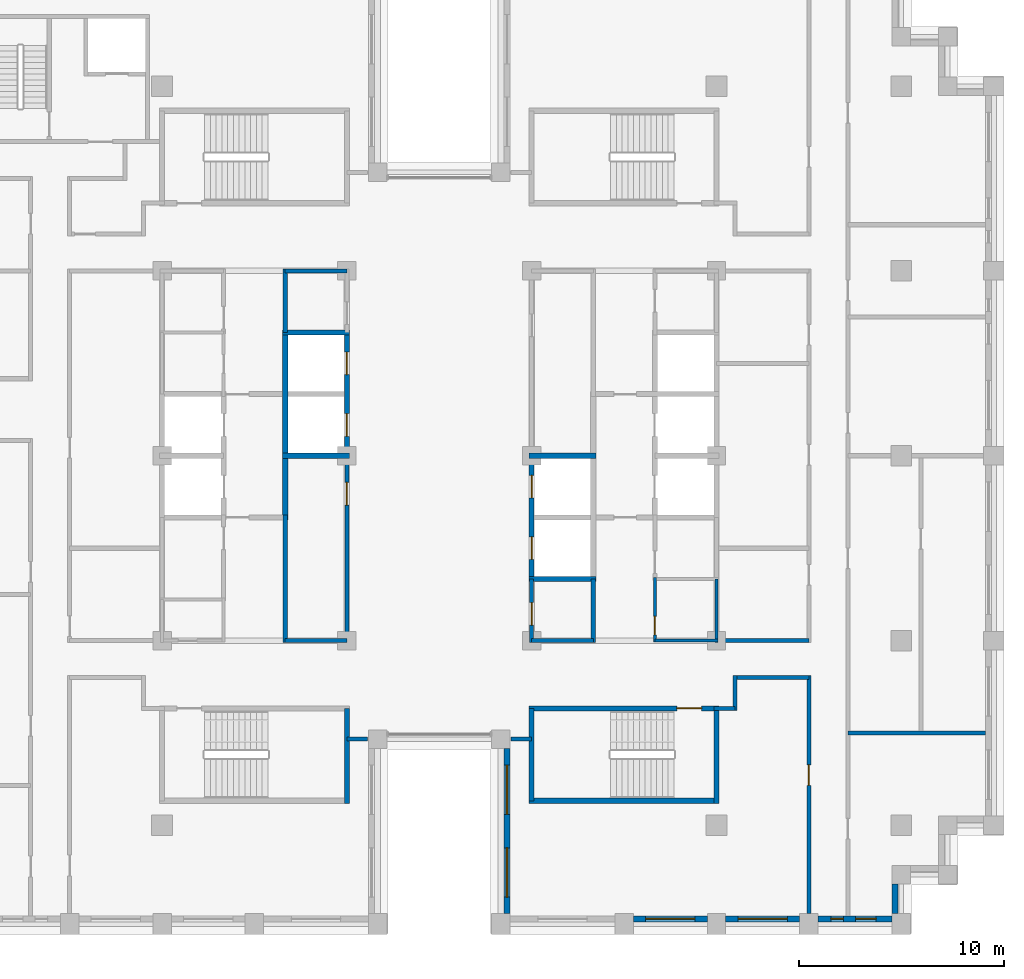
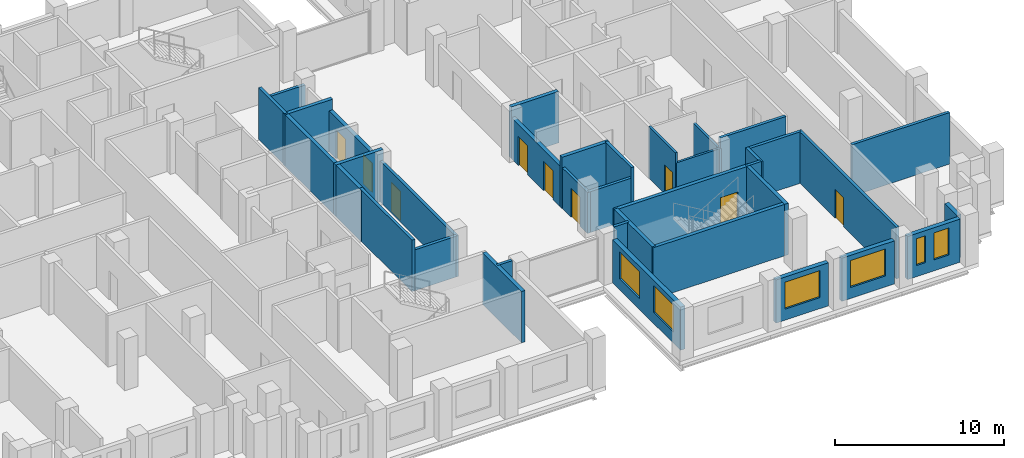
# One storey, part 8 of 15: 36 walls, 9 doors, 6 windows, 15 openings.
"""IFC4 building model written with IfcOpenShell, lengths in metres."""

from ifc_helpers import new_model, si_unit, direction, frame, frame_2d, origin, place, context, subcontext, project, spatial, rectangle, extrude, material, layer, layer_set, type_object, element, fill, save


model = new_model("IFC4")

# Units and contexts
model_context = context("Model", 3, precision=1e-05, world=origin(), true_north=direction((0.0, 1.0)))
body_context = subcontext(model_context, "Body", "Model", "MODEL_VIEW")
ifc_project = project(units=[si_unit("LENGTHUNIT", "METRE"), si_unit("AREAUNIT", "SQUARE_METRE"), si_unit("VOLUMEUNIT", "CUBIC_METRE"), si_unit("PLANEANGLEUNIT", "RADIAN"), si_unit("MASSUNIT", "GRAM", prefix="KILO")], contexts=[model_context])

# Site, building, storey
site_placement = place(None, origin())
site = spatial("IfcSite", under=ifc_project, at=site_placement, CompositionType="ELEMENT")
building_placement = place(site_placement, origin())
building = spatial("IfcBuilding", under=site, at=building_placement, Name="Corbelhall Arena Tower", CompositionType="ELEMENT")
storey_placement = place(building_placement, frame((0.0, 0.0, 192.0)))
storey = spatial("IfcBuildingStorey", under=building, at=storey_placement, Name="L39", CompositionType="ELEMENT", Elevation=192.0)

# Wall, openings, windows
ifc_material_1 = material(Name="Precast concrete C40/50 with granite facing", Category="masonry")
ifc_layer_1 = layer(ifc_material_1, 0.300048828125)
ifc_layer_set_1 = layer_set([ifc_layer_1], Name="EV-IW1 Infill panel 300")
wall_type_1 = type_object("IfcWallType", Name="EV-IW1 Infill panel 300", PredefinedType="SOLIDWALL", material=ifc_layer_set_1)
wall_1_placement = place(storey_placement, frame((3.300048828125, -14.25, 0.0), z_axis=(0.0, 0.0, 1.0), x_axis=(0.0, -1.0, 0.0)))
wall_1 = element("IfcWall", 1, at=wall_1_placement, inside=storey, type_object=wall_type_1, Name="Infill panel IW1", PredefinedType="SOLIDWALL", context=body_context, shape_type="SweptSolid", body=[
    extrude(rectangle(XDim=8.050048828125, YDim=0.300048828125, at=frame_2d((4.02490234375, 0.0))), origin(), (0.0, 0.0, 1.0), 3.1201171875),
])
opening_1_placement = place(wall_1_placement, frame((0.8125, 0.0, 0.800048828125)))
opening_1 = element("IfcOpeningElement", 2, at=opening_1_placement, cuts=wall_1, Name="Opening WN1", PredefinedType="OPENING", context=body_context, shape_type="SweptSolid", body=[
    extrude(rectangle(XDim=2.39990234375, YDim=1.949951171875, at=frame_2d((1.199951171875, 0.97509765625))), frame((0.0, 0.14990234375, 0.0), z_axis=(0.0, -1.0, 0.0), x_axis=(1.0, 0.0, 0.0)), (0.0, 0.0, 1.0), 0.300048828125),
])
opening_2_placement = place(wall_1_placement, frame((4.83740234375, 0.0, 0.800048828125)))
opening_2 = element("IfcOpeningElement", 3, at=opening_2_placement, cuts=wall_1, Name="Opening WN1", PredefinedType="OPENING", context=body_context, shape_type="SweptSolid", body=[
    extrude(rectangle(XDim=2.39990234375, YDim=1.949951171875, at=frame_2d((1.199951171875, 0.97509765625))), frame((0.0, 0.14990234375, 0.0), z_axis=(0.0, -1.0, 0.0), x_axis=(1.0, 0.0, 0.0)), (0.0, 0.0, 1.0), 0.300048828125),
])
ifc_material_2 = material(Name="Aluminium black anodised", Category="aluminium")
window_type_1 = type_object("IfcWindowType", Name="EV-WN1 Office window", PartitioningType="SINGLE_PANEL", PredefinedType="WINDOW", material=ifc_material_2)
window_1_placement = place(opening_1_placement, origin())
window_1 = element("IfcWindow", 4, at=window_1_placement, inside=storey, type_object=window_type_1, Name="Window WN1", OverallHeight=1.949951171875, OverallWidth=2.39990234375, PartitioningType="SINGLE_PANEL", PredefinedType="WINDOW", context=body_context, shape_type="SweptSolid", body=[
    extrude(rectangle(XDim=2.39990234375, YDim=1.949951171875, at=frame_2d((1.199951171875, 0.97509765625))), frame((0.0, 0.030029296875, 0.0), z_axis=(0.0, -1.0, 0.0), x_axis=(1.0, 0.0, 0.0)), (0.0, 0.0, 1.0), 0.06005859375),
])
fill(opening_1, window_1)
window_2_placement = place(opening_2_placement, origin())
window_2 = element("IfcWindow", 5, at=window_2_placement, inside=storey, type_object=window_type_1, Name="Window WN1", OverallHeight=1.949951171875, OverallWidth=2.39990234375, PartitioningType="SINGLE_PANEL", PredefinedType="WINDOW", context=body_context, shape_type="SweptSolid", body=[
    extrude(rectangle(XDim=2.39990234375, YDim=1.949951171875, at=frame_2d((1.199951171875, 0.97509765625))), frame((0.0, 0.030029296875, 0.0), z_axis=(0.0, -1.0, 0.0), x_axis=(1.0, 0.0, 0.0)), (0.0, 0.0, 1.0), 0.06005859375),
])
fill(opening_2, window_2)

# Wall, opening, window
wall_2_placement = place(storey_placement, frame((9.449951171875, -22.550048828125, 0.0), z_axis=(0.0, 0.0, 1.0), x_axis=(1.0, 0.0, 0.0)))
wall_2 = element("IfcWall", 6, at=wall_2_placement, inside=storey, type_object=wall_type_1, Name="Infill panel IW1", PredefinedType="SOLIDWALL", context=body_context, shape_type="SweptSolid", body=[
    extrude(rectangle(XDim=3.60009765625, YDim=0.300048828125, at=frame_2d((1.800048828125, 0.0))), origin(), (0.0, 0.0, 1.0), 3.1201171875),
])
opening_3_placement = place(wall_2_placement, frame((0.60009765625, 0.0, 0.800048828125)))
opening_3 = element("IfcOpeningElement", 7, at=opening_3_placement, cuts=wall_2, Name="Opening WN1", PredefinedType="OPENING", context=body_context, shape_type="SweptSolid", body=[
    extrude(rectangle(XDim=2.39990234375, YDim=1.949951171875, at=frame_2d((1.199951171875, 0.97509765625))), frame((0.0, 0.14990234375, 0.0), z_axis=(0.0, -1.0, 0.0), x_axis=(1.0, 0.0, 0.0)), (0.0, 0.0, 1.0), 0.300048828125),
])
window_3_placement = place(opening_3_placement, origin())
window_3 = element("IfcWindow", 8, at=window_3_placement, inside=storey, type_object=window_type_1, Name="Window WN1", OverallHeight=1.949951171875, OverallWidth=2.39990234375, PartitioningType="SINGLE_PANEL", PredefinedType="WINDOW", context=body_context, shape_type="SweptSolid", body=[
    extrude(rectangle(XDim=2.39990234375, YDim=1.949951171875, at=frame_2d((1.199951171875, 0.97509765625))), frame((0.0, 0.030029296875, 0.0), z_axis=(0.0, -1.0, 0.0), x_axis=(1.0, 0.0, 0.0)), (0.0, 0.0, 1.0), 0.06005859375),
])
fill(opening_3, window_3)

wall_3_placement = place(storey_placement, frame((13.949951171875, -22.550048828125, 0.0), z_axis=(0.0, 0.0, 1.0), x_axis=(1.0, 0.0, 0.0)))
wall_3 = element("IfcWall", 9, at=wall_3_placement, inside=storey, type_object=wall_type_1, Name="Infill panel IW1", PredefinedType="SOLIDWALL", context=body_context, shape_type="SweptSolid", body=[
    extrude(rectangle(XDim=3.60009765625, YDim=0.300048828125, at=frame_2d((1.800048828125, 0.0))), origin(), (0.0, 0.0, 1.0), 3.1201171875),
])
opening_4_placement = place(wall_3_placement, frame((0.60009765625, 0.0, 0.800048828125)))
opening_4 = element("IfcOpeningElement", 10, at=opening_4_placement, cuts=wall_3, Name="Opening WN1", PredefinedType="OPENING", context=body_context, shape_type="SweptSolid", body=[
    extrude(rectangle(XDim=2.39990234375, YDim=1.949951171875, at=frame_2d((1.199951171875, 0.97509765625))), frame((0.0, 0.14990234375, 0.0), z_axis=(0.0, -1.0, 0.0), x_axis=(1.0, 0.0, 0.0)), (0.0, 0.0, 1.0), 0.300048828125),
])
window_4_placement = place(opening_4_placement, origin())
window_4 = element("IfcWindow", 11, at=window_4_placement, inside=storey, type_object=window_type_1, Name="Window WN1", OverallHeight=1.949951171875, OverallWidth=2.39990234375, PartitioningType="SINGLE_PANEL", PredefinedType="WINDOW", context=body_context, shape_type="SweptSolid", body=[
    extrude(rectangle(XDim=2.39990234375, YDim=1.949951171875, at=frame_2d((1.199951171875, 0.97509765625))), frame((0.0, 0.030029296875, 0.0), z_axis=(0.0, -1.0, 0.0), x_axis=(1.0, 0.0, 0.0)), (0.0, 0.0, 1.0), 0.06005859375),
])
fill(opening_4, window_4)

# Wall, openings, windows
wall_4_placement = place(storey_placement, frame((18.449951171875, -22.550048828125, 0.0), z_axis=(0.0, 0.0, 1.0), x_axis=(1.0, 0.0, 0.0)))
wall_4 = element("IfcWall", 12, at=wall_4_placement, inside=storey, type_object=wall_type_1, Name="Infill panel IW1", PredefinedType="SOLIDWALL", context=body_context, shape_type="SweptSolid", body=[
    extrude(rectangle(XDim=3.60009765625, YDim=0.300048828125, at=frame_2d((1.800048828125, 0.0))), origin(), (0.0, 0.0, 1.0), 3.1201171875),
])
opening_5_placement = place(wall_4_placement, frame((0.625, 0.0, 0.800048828125)))
opening_5 = element("IfcOpeningElement", 13, at=opening_5_placement, cuts=wall_4, Name="Opening WN5", PredefinedType="OPENING", context=body_context, shape_type="SweptSolid", body=[
    extrude(rectangle(XDim=0.60009765625, YDim=1.949951171875, at=frame_2d((0.300048828125, 0.97509765625))), frame((0.0, 0.14990234375, 0.0), z_axis=(0.0, -1.0, 0.0), x_axis=(1.0, 0.0, 0.0)), (0.0, 0.0, 1.0), 0.300048828125),
])
opening_6_placement = place(wall_4_placement, frame((1.824951171875, 0.0, 0.800048828125)))
opening_6 = element("IfcOpeningElement", 14, at=opening_6_placement, cuts=wall_4, Name="Opening WN6", PredefinedType="OPENING", context=body_context, shape_type="SweptSolid", body=[
    extrude(rectangle(XDim=1.0, YDim=1.949951171875, at=frame_2d((0.5, 0.97509765625))), frame((0.0, 0.14990234375, 0.0), z_axis=(0.0, -1.0, 0.0), x_axis=(1.0, 0.0, 0.0)), (0.0, 0.0, 1.0), 0.300048828125),
])
window_type_2 = type_object("IfcWindowType", Name="EV-WN5 Office window 600", PartitioningType="SINGLE_PANEL", PredefinedType="WINDOW", material=ifc_material_2)
window_5_placement = place(opening_5_placement, origin())
window_5 = element("IfcWindow", 15, at=window_5_placement, inside=storey, type_object=window_type_2, Name="Window WN5", OverallHeight=1.949951171875, OverallWidth=0.60009765625, PartitioningType="SINGLE_PANEL", PredefinedType="WINDOW", context=body_context, shape_type="SweptSolid", body=[
    extrude(rectangle(XDim=0.60009765625, YDim=1.949951171875, at=frame_2d((0.300048828125, 0.97509765625))), frame((0.0, 0.030029296875, 0.0), z_axis=(0.0, -1.0, 0.0), x_axis=(1.0, 0.0, 0.0)), (0.0, 0.0, 1.0), 0.06005859375),
])
fill(opening_5, window_5)
window_type_3 = type_object("IfcWindowType", Name="EV-WN6 Office window 1000", PartitioningType="SINGLE_PANEL", PredefinedType="WINDOW", material=ifc_material_2)
window_6_placement = place(opening_6_placement, origin())
window_6 = element("IfcWindow", 16, at=window_6_placement, inside=storey, type_object=window_type_3, Name="Window WN6", OverallHeight=1.949951171875, OverallWidth=1.0, PartitioningType="SINGLE_PANEL", PredefinedType="WINDOW", context=body_context, shape_type="SweptSolid", body=[
    extrude(rectangle(XDim=1.0, YDim=1.949951171875, at=frame_2d((0.5, 0.97509765625))), frame((0.0, 0.030029296875, 0.0), z_axis=(0.0, -1.0, 0.0), x_axis=(1.0, 0.0, 0.0)), (0.0, 0.0, 1.0), 0.06005859375),
])
fill(opening_6, window_6)

# Walls
wall_5_placement = place(storey_placement, frame((22.199951171875, -22.300048828125, 0.0), z_axis=(0.0, 0.0, 1.0), x_axis=(0.0, 1.0, 0.0)))
element("IfcWall", 17, at=wall_5_placement, inside=storey, type_object=wall_type_1, Name="Infill panel IW1", PredefinedType="SOLIDWALL", context=body_context, shape_type="SweptSolid", body=[
    extrude(rectangle(XDim=1.449951171875, YDim=0.300048828125, at=frame_2d((0.72509765625, 0.0))), origin(), (0.0, 0.0, 1.0), 3.1201171875),
])
ifc_material_3 = material(Name="Gypsum board on steel stud, acoustic", Category="steel")
ifc_layer_2 = layer(ifc_material_3, 0.199951171875)
ifc_layer_set_2 = layer_set([ifc_layer_2], Name="IN-W-DM200")
wall_type_2 = type_object("IfcWallType", Name="IN-W-DM200", PredefinedType="PARTITIONING", material=ifc_layer_set_2)
for number, where, z_axis, x_axis, name in (
    (18, (-3.5, -13.800048828125, 0.0), (0.0, 0.0, 1.0), (-1.0, 0.0, 0.0), "Partition 034"),
    (19, (4.5, -13.800048828125, 0.0), (0.0, 0.0, 1.0), (-1.0, 0.0, 0.0), "Partition 036"),
):
    element("IfcWall", number, at=place(storey_placement, frame(where, z_axis=z_axis, x_axis=x_axis)), inside=storey, type_object=wall_type_2, Name=name, PredefinedType="PARTITIONING", context=body_context, shape_type="SweptSolid", body=[
        extrude(rectangle(XDim=1.0, YDim=0.199951171875, at=frame_2d((0.5, 0.0))), origin(), (0.0, 0.0, 1.0), 3.719970703125),
    ])
wall_6_placement = place(storey_placement, frame((13.5, -9.0, 0.0), z_axis=(0.0, 0.0, 1.0), x_axis=(1.0, 0.0, 0.0)))
element("IfcWall", 20, at=wall_6_placement, inside=storey, type_object=wall_type_2, Name="Partition 038", PredefinedType="PARTITIONING", context=body_context, shape_type="SweptSolid", body=[
    extrude(rectangle(XDim=4.5, YDim=0.199951171875, at=frame_2d((2.25, 0.0))), origin(), (0.0, 0.0, 1.0), 3.719970703125),
])
wall_7_placement = place(storey_placement, frame((14.39990234375, -12.300048828125, 0.0), z_axis=(0.0, 0.0, 1.0), x_axis=(-1.0, 0.0, 0.0)))
element("IfcWall", 21, at=wall_7_placement, inside=storey, type_object=wall_type_2, Name="Partition 041", PredefinedType="PARTITIONING", context=body_context, shape_type="SweptSolid", body=[
    extrude(rectangle(XDim=1.02490234375, YDim=0.199951171875, at=frame_2d((0.512451171875, 0.0))), origin(), (0.0, 0.0, 1.0), 3.719970703125),
])
wall_8_placement = place(storey_placement, frame((14.39990234375, -10.699951171875, 0.0), z_axis=(0.0, 0.0, 1.0), x_axis=(0.0, -1.0, 0.0)))
element("IfcWall", 22, at=wall_8_placement, inside=storey, type_object=wall_type_2, Name="Partition 042", PredefinedType="PARTITIONING", context=body_context, shape_type="SweptSolid", body=[
    extrude(rectangle(XDim=1.699951171875, YDim=0.199951171875, at=frame_2d((0.85009765625, 0.0))), origin(), (0.0, 0.0, 1.0), 3.719970703125),
])

# Wall, opening, door
wall_9_placement = place(storey_placement, frame((18.0, -22.300048828125, 0.0), z_axis=(0.0, 0.0, 1.0), x_axis=(0.0, 1.0, 0.0)))
wall_9 = element("IfcWall", 23, at=wall_9_placement, inside=storey, type_object=wall_type_2, Name="Partition 046", PredefinedType="PARTITIONING", context=body_context, shape_type="SweptSolid", body=[
    extrude(rectangle(XDim=11.60009765625, YDim=0.199951171875, at=frame_2d((5.800048828125, 0.0))), origin(), (0.0, 0.0, 1.0), 3.719970703125),
])
opening_7_placement = place(wall_9_placement, frame((6.25, 0.0, 0.0)))
opening_7 = element("IfcOpeningElement", 24, at=opening_7_placement, cuts=wall_9, Name="Opening 11030", PredefinedType="OPENING", context=body_context, shape_type="SweptSolid", body=[
    extrude(rectangle(XDim=1.0, YDim=2.10009765625, at=frame_2d((0.5, 1.050048828125))), frame((0.0, 0.10009765625, 0.0), z_axis=(0.0, -1.0, 0.0), x_axis=(1.0, 0.0, 0.0)), (0.0, 0.0, 1.0), 0.199951171875),
])
ifc_material_4 = material(Name="Steel door set", Category="steel")
door_type_1 = type_object("IfcDoorType", Name="IN-D-SW100", OperationType="NOTDEFINED", PredefinedType="DOOR", material=ifc_material_4)
door_1_placement = place(opening_7_placement, origin())
door_1 = element("IfcDoor", 25, at=door_1_placement, inside=storey, type_object=door_type_1, Name="Door 030", OperationType="SINGLE_SWING_LEFT", OverallHeight=2.10009765625, OverallWidth=1.0, PredefinedType="DOOR", context=body_context, shape_type="SweptSolid", body=[
    extrude(rectangle(XDim=1.0, YDim=2.10009765625, at=frame_2d((0.5, 1.050048828125))), frame((0.0, 0.02490234375, 0.0), z_axis=(0.0, -1.0, 0.0), x_axis=(1.0, 0.0, 0.0)), (0.0, 0.0, 1.0), 0.050048828125),
])
fill(opening_7, door_1)

# Walls
wall_10_placement = place(storey_placement, frame((18.0, -10.800048828125, 0.0), z_axis=(0.0, 0.0, 1.0), x_axis=(-1.0, 0.0, 0.0)))
element("IfcWall", 26, at=wall_10_placement, inside=storey, type_object=wall_type_2, Name="Partition 047", PredefinedType="PARTITIONING", context=body_context, shape_type="SweptSolid", body=[
    extrude(rectangle(XDim=3.60009765625, YDim=0.199951171875, at=frame_2d((1.800048828125, 0.0))), origin(), (0.0, 0.0, 1.0), 3.719970703125),
])
wall_11_placement = place(storey_placement, frame((19.89990234375, -13.5, 0.0), z_axis=(0.0, 0.0, 1.0), x_axis=(1.0, 0.0, 0.0)))
element("IfcWall", 27, at=wall_11_placement, inside=storey, type_object=wall_type_2, Name="Partition 051", PredefinedType="PARTITIONING", context=body_context, shape_type="SweptSolid", body=[
    extrude(rectangle(XDim=6.7001953125, YDim=0.199951171875, at=frame_2d((3.35009765625, 0.0))), origin(), (0.0, 0.0, 1.0), 3.719970703125),
])
ifc_material_5 = material(Name="Concrete block wall", Category="concrete")
ifc_layer_3 = layer(ifc_material_5, 0.199951171875)
ifc_layer_set_3 = layer_set([ifc_layer_3], Name="IN-W-RS200")
wall_type_3 = type_object("IfcWallType", Name="IN-W-RS200", PredefinedType="SOLIDWALL", material=ifc_layer_set_3)
wall_12_placement = place(storey_placement, frame((-7.5, -9.10009765625, 0.0), z_axis=(0.0, 0.0, 1.0), x_axis=(0.0, 1.0, 0.0)))
element("IfcWall", 28, at=wall_12_placement, inside=storey, type_object=wall_type_3, Name="Partition 061", PredefinedType="SOLIDWALL", context=body_context, shape_type="SweptSolid", body=[
    extrude(rectangle(XDim=6.22509765625, YDim=0.199951171875, at=frame_2d((3.112548828125, 0.0))), origin(), (0.0, 0.0, 1.0), 3.719970703125),
])
for number, where, z_axis, x_axis, name in (
    (29, (-7.5, 6.0, 0.0), (0.0, 0.0, 1.0), (0.0, 1.0, 0.0), "Partition 062"),
    (30, (7.5, -6.0, 0.0), (0.0, 0.0, 1.0), (0.0, -1.0, 0.0), "Partition 071"),
):
    element("IfcWall", number, at=place(storey_placement, frame(where, z_axis=z_axis, x_axis=x_axis)), inside=storey, type_object=wall_type_3, Name=name, PredefinedType="SOLIDWALL", context=body_context, shape_type="SweptSolid", body=[
        extrude(rectangle(XDim=3.10009765625, YDim=0.199951171875, at=frame_2d((1.550048828125, 0.0))), origin(), (0.0, 0.0, 1.0), 3.719970703125),
    ])
ifc_layer_4 = layer(ifc_material_5, 0.199951171875)
ifc_layer_set_4 = layer_set([ifc_layer_4], Name="IN-W-RS200 under beam 762 mm")
wall_type_4 = type_object("IfcWallType", Name="IN-W-RS200 under beam 762 mm", PredefinedType="SOLIDWALL", material=ifc_layer_set_4)
for number, where, z_axis, x_axis, name in (
    (31, (-7.5, 9.0, 0.0), (0.0, 0.0, 1.0), (1.0, 0.0, 0.0), "Partition 063"),
    (32, (-4.5, -9.0, 0.0), (0.0, 0.0, 1.0), (-1.0, 0.0, 0.0), "Partition 064"),
):
    element("IfcWall", number, at=place(storey_placement, frame(where, z_axis=z_axis, x_axis=x_axis)), inside=storey, type_object=wall_type_4, Name=name, PredefinedType="SOLIDWALL", context=body_context, shape_type="SweptSolid", body=[
        extrude(rectangle(XDim=3.0, YDim=0.199951171875, at=frame_2d((1.5, 0.0))), origin(), (0.0, 0.0, 1.0), 2.9580078125),
    ])

# Wall, opening, door
wall_13_placement = place(storey_placement, frame((-4.5, 0.0, 0.0), z_axis=(0.0, 0.0, 1.0), x_axis=(0.0, -1.0, 0.0)))
wall_13 = element("IfcWall", 33, at=wall_13_placement, inside=storey, type_object=wall_type_4, Name="Partition 065", PredefinedType="SOLIDWALL", context=body_context, shape_type="SweptSolid", body=[
    extrude(rectangle(XDim=9.10009765625, YDim=0.199951171875, at=frame_2d((4.550048828125, 0.0))), origin(), (0.0, 0.0, 1.0), 2.9580078125),
])
opening_8_placement = place(wall_13_placement, frame((1.300048828125, 0.0, 0.0)))
opening_8 = element("IfcOpeningElement", 34, at=opening_8_placement, cuts=wall_13, Name="Opening 11001", PredefinedType="OPENING", context=body_context, shape_type="SweptSolid", body=[
    extrude(rectangle(XDim=1.10009765625, YDim=2.10009765625, at=frame_2d((0.550048828125, 1.050048828125))), frame((0.0, 0.10009765625, 0.0), z_axis=(0.0, -1.0, 0.0), x_axis=(1.0, 0.0, 0.0)), (0.0, 0.0, 1.0), 0.199951171875),
])
door_type_2 = type_object("IfcDoorType", Name="IN-D-FD110", OperationType="NOTDEFINED", PredefinedType="DOOR", material=ifc_material_4)
door_2_placement = place(opening_8_placement, origin())
door_2 = element("IfcDoor", 35, at=door_2_placement, inside=storey, type_object=door_type_2, Name="Door 001", OperationType="SINGLE_SWING_RIGHT", OverallHeight=2.10009765625, OverallWidth=1.10009765625, PredefinedType="DOOR", context=body_context, shape_type="SweptSolid", body=[
    extrude(rectangle(XDim=1.10009765625, YDim=2.10009765625, at=frame_2d((0.550048828125, 1.050048828125))), frame((0.0, 0.02490234375, 0.0), z_axis=(0.0, -1.0, 0.0), x_axis=(1.0, 0.0, 0.0)), (0.0, 0.0, 1.0), 0.050048828125),
])
fill(opening_8, door_2)

wall_14_placement = place(storey_placement, frame((4.5, -9.10009765625, 0.0), z_axis=(0.0, 0.0, 1.0), x_axis=(0.0, 1.0, 0.0)))
wall_14 = element("IfcWall", 36, at=wall_14_placement, inside=storey, type_object=wall_type_4, Name="Partition 067", PredefinedType="SOLIDWALL", context=body_context, shape_type="SweptSolid", body=[
    extrude(rectangle(XDim=3.10009765625, YDim=0.199951171875, at=frame_2d((1.550048828125, 0.0))), origin(), (0.0, 0.0, 1.0), 2.9580078125),
])
opening_9_placement = place(wall_14_placement, frame((0.85009765625, 0.0, 0.0)))
opening_9 = element("IfcOpeningElement", 37, at=opening_9_placement, cuts=wall_14, Name="Opening 11009", PredefinedType="OPENING", context=body_context, shape_type="SweptSolid", body=[
    extrude(rectangle(XDim=1.10009765625, YDim=2.10009765625, at=frame_2d((0.550048828125, 1.050048828125))), frame((0.0, 0.10009765625, 0.0), z_axis=(0.0, -1.0, 0.0), x_axis=(1.0, 0.0, 0.0)), (0.0, 0.0, 1.0), 0.199951171875),
])
door_3_placement = place(opening_9_placement, origin())
door_3 = element("IfcDoor", 38, at=door_3_placement, inside=storey, type_object=door_type_2, Name="Door 009", OperationType="SINGLE_SWING_RIGHT", OverallHeight=2.10009765625, OverallWidth=1.10009765625, PredefinedType="DOOR", context=body_context, shape_type="SweptSolid", body=[
    extrude(rectangle(XDim=1.10009765625, YDim=2.10009765625, at=frame_2d((0.550048828125, 1.050048828125))), frame((0.0, 0.02490234375, 0.0), z_axis=(0.0, -1.0, 0.0), x_axis=(1.0, 0.0, 0.0)), (0.0, 0.0, 1.0), 0.050048828125),
])
fill(opening_9, door_3)

# Walls
wall_15_placement = place(storey_placement, frame((7.5, -9.0, 0.0), z_axis=(0.0, 0.0, 1.0), x_axis=(-1.0, 0.0, 0.0)))
element("IfcWall", 39, at=wall_15_placement, inside=storey, type_object=wall_type_4, Name="Partition 070", PredefinedType="SOLIDWALL", context=body_context, shape_type="SweptSolid", body=[
    extrude(rectangle(XDim=3.0, YDim=0.199951171875, at=frame_2d((1.5, 0.0))), origin(), (0.0, 0.0, 1.0), 2.9580078125),
])
ifc_material_6 = material(Name="Concrete C40/50", Category="concrete")
ifc_layer_5 = layer(ifc_material_6, 0.25)
ifc_layer_set_5 = layer_set([ifc_layer_5], Name="IN-W-SH250")
wall_type_5 = type_object("IfcWallType", Name="IN-W-SH250", PredefinedType="SOLIDWALL", material=ifc_layer_set_5)
for number, where, z_axis, x_axis, name in (
    (40, (-7.625, 0.0, 0.0), (0.0, 0.0, 1.0), (1.0, 0.0, 0.0), "Shaft wall 083"),
    (41, (-7.625, 6.0, 0.0), (0.0, 0.0, 1.0), (1.0, 0.0, 0.0), "Shaft wall 084"),
):
    element("IfcWall", number, at=place(storey_placement, frame(where, z_axis=z_axis, x_axis=x_axis)), inside=storey, type_object=wall_type_5, Name=name, PredefinedType="SOLIDWALL", context=body_context, shape_type="SweptSolid", body=[
        extrude(rectangle(XDim=3.25, YDim=0.25, at=frame_2d((1.625, 0.0))), origin(), (0.0, 0.0, 1.0), 3.719970703125),
    ])
wall_16_placement = place(storey_placement, frame((-7.5, -3.125, 0.0), z_axis=(0.0, 0.0, 1.0), x_axis=(0.0, 1.0, 0.0)))
element("IfcWall", 42, at=wall_16_placement, inside=storey, type_object=wall_type_5, Name="Shaft wall 085", PredefinedType="SOLIDWALL", context=body_context, shape_type="SweptSolid", body=[
    extrude(rectangle(XDim=9.125, YDim=0.25, at=frame_2d((4.5625, 0.0))), origin(), (0.0, 0.0, 1.0), 3.719970703125),
])
for number, where, z_axis, x_axis, name in (
    (43, (4.375, -6.0, 0.0), (0.0, 0.0, 1.0), (1.0, 0.0, 0.0), "Shaft wall 087"),
    (44, (4.375, 0.0, 0.0), (0.0, 0.0, 1.0), (1.0, 0.0, 0.0), "Shaft wall 089"),
):
    element("IfcWall", number, at=place(storey_placement, frame(where, z_axis=z_axis, x_axis=x_axis)), inside=storey, type_object=wall_type_5, Name=name, PredefinedType="SOLIDWALL", context=body_context, shape_type="SweptSolid", body=[
        extrude(rectangle(XDim=3.25, YDim=0.25, at=frame_2d((1.625, 0.0))), origin(), (0.0, 0.0, 1.0), 3.719970703125),
    ])

# Wall, openings, doors
ifc_layer_6 = layer(ifc_material_6, 0.25)
ifc_layer_set_6 = layer_set([ifc_layer_6], Name="IN-W-SH250 under beam 762 mm")
wall_type_6 = type_object("IfcWallType", Name="IN-W-SH250 under beam 762 mm", PredefinedType="SOLIDWALL", material=ifc_layer_set_6)
wall_17_placement = place(storey_placement, frame((-4.5, 6.0, 0.0), z_axis=(0.0, 0.0, 1.0), x_axis=(0.0, -1.0, 0.0)))
wall_17 = element("IfcWall", 45, at=wall_17_placement, inside=storey, type_object=wall_type_6, Name="Shaft wall 086", PredefinedType="SOLIDWALL", context=body_context, shape_type="SweptSolid", body=[
    extrude(rectangle(XDim=6.0, YDim=0.25, at=frame_2d((3.0, 0.0))), origin(), (0.0, 0.0, 1.0), 2.9580078125),
])
opening_10_placement = place(wall_17_placement, frame((3.949951171875, 0.0, 0.0)))
opening_10 = element("IfcOpeningElement", 46, at=opening_10_placement, cuts=wall_17, Name="Opening LD", PredefinedType="OPENING", context=body_context, shape_type="SweptSolid", body=[
    extrude(rectangle(XDim=1.10009765625, YDim=2.10009765625, at=frame_2d((0.550048828125, 1.050048828125))), frame((0.0, 0.125, 0.0), z_axis=(0.0, -1.0, 0.0), x_axis=(1.0, 0.0, 0.0)), (0.0, 0.0, 1.0), 0.25),
])
opening_11_placement = place(wall_17_placement, frame((0.949951171875, 0.0, 0.0)))
opening_11 = element("IfcOpeningElement", 47, at=opening_11_placement, cuts=wall_17, Name="Opening LD", PredefinedType="OPENING", context=body_context, shape_type="SweptSolid", body=[
    extrude(rectangle(XDim=1.10009765625, YDim=2.10009765625, at=frame_2d((0.550048828125, 1.050048828125))), frame((0.0, 0.125, 0.0), z_axis=(0.0, -1.0, 0.0), x_axis=(1.0, 0.0, 0.0)), (0.0, 0.0, 1.0), 0.25),
])
door_type_3 = type_object("IfcDoorType", Name="IN-D-LD110", OperationType="NOTDEFINED", PredefinedType="DOOR", material=ifc_material_4)
door_4_placement = place(opening_10_placement, origin())
door_4 = element("IfcDoor", 48, at=door_4_placement, inside=storey, type_object=door_type_3, Name="Landing door W4", OperationType="SLIDING_TO_LEFT", OverallHeight=2.10009765625, OverallWidth=1.10009765625, PredefinedType="DOOR", context=body_context, shape_type="SweptSolid", body=[
    extrude(rectangle(XDim=1.10009765625, YDim=2.10009765625, at=frame_2d((0.550048828125, 1.050048828125))), frame((0.0, 0.02490234375, 0.0), z_axis=(0.0, -1.0, 0.0), x_axis=(1.0, 0.0, 0.0)), (0.0, 0.0, 1.0), 0.050048828125),
])
fill(opening_10, door_4)
door_5_placement = place(opening_11_placement, origin())
door_5 = element("IfcDoor", 49, at=door_5_placement, inside=storey, type_object=door_type_3, Name="Landing door W5", OperationType="SLIDING_TO_LEFT", OverallHeight=2.10009765625, OverallWidth=1.10009765625, PredefinedType="DOOR", context=body_context, shape_type="SweptSolid", body=[
    extrude(rectangle(XDim=1.10009765625, YDim=2.10009765625, at=frame_2d((0.550048828125, 1.050048828125))), frame((0.0, 0.02490234375, 0.0), z_axis=(0.0, -1.0, 0.0), x_axis=(1.0, 0.0, 0.0)), (0.0, 0.0, 1.0), 0.050048828125),
])
fill(opening_11, door_5)

wall_18_placement = place(storey_placement, frame((4.5, -6.0, 0.0), z_axis=(0.0, 0.0, 1.0), x_axis=(0.0, 1.0, 0.0)))
wall_18 = element("IfcWall", 50, at=wall_18_placement, inside=storey, type_object=wall_type_6, Name="Shaft wall 090", PredefinedType="SOLIDWALL", context=body_context, shape_type="SweptSolid", body=[
    extrude(rectangle(XDim=6.0, YDim=0.25, at=frame_2d((3.0, 0.0))), origin(), (0.0, 0.0, 1.0), 2.9580078125),
])
opening_12_placement = place(wall_18_placement, frame((0.949951171875, 0.0, 0.0)))
opening_12 = element("IfcOpeningElement", 51, at=opening_12_placement, cuts=wall_18, Name="Opening LD", PredefinedType="OPENING", context=body_context, shape_type="SweptSolid", body=[
    extrude(rectangle(XDim=1.10009765625, YDim=2.10009765625, at=frame_2d((0.550048828125, 1.050048828125))), frame((0.0, 0.125, 0.0), z_axis=(0.0, -1.0, 0.0), x_axis=(1.0, 0.0, 0.0)), (0.0, 0.0, 1.0), 0.25),
])
opening_13_placement = place(wall_18_placement, frame((3.949951171875, 0.0, 0.0)))
opening_13 = element("IfcOpeningElement", 52, at=opening_13_placement, cuts=wall_18, Name="Opening LD", PredefinedType="OPENING", context=body_context, shape_type="SweptSolid", body=[
    extrude(rectangle(XDim=1.10009765625, YDim=2.10009765625, at=frame_2d((0.550048828125, 1.050048828125))), frame((0.0, 0.125, 0.0), z_axis=(0.0, -1.0, 0.0), x_axis=(1.0, 0.0, 0.0)), (0.0, 0.0, 1.0), 0.25),
])
door_6_placement = place(opening_12_placement, origin())
door_6 = element("IfcDoor", 53, at=door_6_placement, inside=storey, type_object=door_type_3, Name="Landing door E2", OperationType="SLIDING_TO_LEFT", OverallHeight=2.10009765625, OverallWidth=1.10009765625, PredefinedType="DOOR", context=body_context, shape_type="SweptSolid", body=[
    extrude(rectangle(XDim=1.10009765625, YDim=2.10009765625, at=frame_2d((0.550048828125, 1.050048828125))), frame((0.0, 0.02490234375, 0.0), z_axis=(0.0, -1.0, 0.0), x_axis=(1.0, 0.0, 0.0)), (0.0, 0.0, 1.0), 0.050048828125),
])
fill(opening_12, door_6)
door_7_placement = place(opening_13_placement, origin())
door_7 = element("IfcDoor", 54, at=door_7_placement, inside=storey, type_object=door_type_3, Name="Landing door E3", OperationType="SLIDING_TO_LEFT", OverallHeight=2.10009765625, OverallWidth=1.10009765625, PredefinedType="DOOR", context=body_context, shape_type="SweptSolid", body=[
    extrude(rectangle(XDim=1.10009765625, YDim=2.10009765625, at=frame_2d((0.550048828125, 1.050048828125))), frame((0.0, 0.02490234375, 0.0), z_axis=(0.0, -1.0, 0.0), x_axis=(1.0, 0.0, 0.0)), (0.0, 0.0, 1.0), 0.050048828125),
])
fill(opening_13, door_7)

# Walls
ifc_layer_7 = layer(ifc_material_6, 0.25)
ifc_layer_set_7 = layer_set([ifc_layer_7], Name="IN-W-ST250")
wall_type_7 = type_object("IfcWallType", Name="IN-W-ST250", PredefinedType="SOLIDWALL", material=ifc_layer_set_7)
wall_19_placement = place(storey_placement, frame((-4.5, -12.300048828125, 0.0), z_axis=(0.0, 0.0, 1.0), x_axis=(0.0, -1.0, 0.0)))
element("IfcWall", 55, at=wall_19_placement, inside=storey, type_object=wall_type_7, Name="Shaft wall 108", PredefinedType="SOLIDWALL", context=body_context, shape_type="SweptSolid", body=[
    extrude(rectangle(XDim=4.625, YDim=0.25, at=frame_2d((2.3125, 0.0))), origin(), (0.0, 0.0, 1.0), 3.719970703125),
])
wall_20_placement = place(storey_placement, frame((4.5, -16.800048828125, 0.0), z_axis=(0.0, 0.0, 1.0), x_axis=(0.0, 1.0, 0.0)))
element("IfcWall", 56, at=wall_20_placement, inside=storey, type_object=wall_type_7, Name="Shaft wall 113", PredefinedType="SOLIDWALL", context=body_context, shape_type="SweptSolid", body=[
    extrude(rectangle(XDim=4.5, YDim=0.25, at=frame_2d((2.25, 0.0))), origin(), (0.0, 0.0, 1.0), 3.719970703125),
])
wall_21_placement = place(storey_placement, frame((13.5, -16.800048828125, 0.0), z_axis=(0.0, 0.0, 1.0), x_axis=(-1.0, 0.0, 0.0)))
element("IfcWall", 57, at=wall_21_placement, inside=storey, type_object=wall_type_7, Name="Shaft wall 115", PredefinedType="SOLIDWALL", context=body_context, shape_type="SweptSolid", body=[
    extrude(rectangle(XDim=9.125, YDim=0.25, at=frame_2d((4.5625, 0.0))), origin(), (0.0, 0.0, 1.0), 3.719970703125),
])
wall_22_placement = place(storey_placement, frame((13.5, -12.300048828125, 0.0), z_axis=(0.0, 0.0, 1.0), x_axis=(0.0, -1.0, 0.0)))
element("IfcWall", 58, at=wall_22_placement, inside=storey, type_object=wall_type_7, Name="Shaft wall 116", PredefinedType="SOLIDWALL", context=body_context, shape_type="SweptSolid", body=[
    extrude(rectangle(XDim=4.625, YDim=0.25, at=frame_2d((2.3125, 0.0))), origin(), (0.0, 0.0, 1.0), 3.719970703125),
])

# Wall, opening, door
wall_23_placement = place(storey_placement, frame((13.625, -12.300048828125, 0.0), z_axis=(0.0, 0.0, 1.0), x_axis=(-1.0, 0.0, 0.0)))
wall_23 = element("IfcWall", 59, at=wall_23_placement, inside=storey, type_object=wall_type_7, Name="Shaft wall 118", PredefinedType="SOLIDWALL", context=body_context, shape_type="SweptSolid", body=[
    extrude(rectangle(XDim=9.25, YDim=0.25, at=frame_2d((4.625, 0.0))), origin(), (0.0, 0.0, 1.0), 3.719970703125),
])
opening_14_placement = place(wall_23_placement, frame((0.85009765625, 0.0, 0.0)))
opening_14 = element("IfcOpeningElement", 60, at=opening_14_placement, cuts=wall_23, Name="Opening 11019", PredefinedType="OPENING", context=body_context, shape_type="SweptSolid", body=[
    extrude(rectangle(XDim=1.199951171875, YDim=2.10009765625, at=frame_2d((0.60009765625, 1.050048828125))), frame((0.0, 0.125, 0.0), z_axis=(0.0, -1.0, 0.0), x_axis=(1.0, 0.0, 0.0)), (0.0, 0.0, 1.0), 0.25),
])
door_type_4 = type_object("IfcDoorType", Name="IN-D-ST120", OperationType="NOTDEFINED", PredefinedType="DOOR", material=ifc_material_4)
door_8_placement = place(opening_14_placement, origin())
door_8 = element("IfcDoor", 61, at=door_8_placement, inside=storey, type_object=door_type_4, Name="Door 019", OperationType="SINGLE_SWING_RIGHT", OverallHeight=2.10009765625, OverallWidth=1.199951171875, PredefinedType="DOOR", context=body_context, shape_type="SweptSolid", body=[
    extrude(rectangle(XDim=1.199951171875, YDim=2.10009765625, at=frame_2d((0.60009765625, 1.050048828125))), frame((0.0, 0.02490234375, 0.0), z_axis=(0.0, -1.0, 0.0), x_axis=(1.0, 0.0, 0.0)), (0.0, 0.0, 1.0), 0.050048828125),
])
fill(opening_14, door_8)

ifc_material_7 = material(Name="Gypsum board on steel stud, moisture resistant", Category="steel")
ifc_layer_8 = layer(ifc_material_7, 0.14990234375)
ifc_layer_set_8 = layer_set([ifc_layer_8], Name="IN-W-WC150")
wall_type_8 = type_object("IfcWallType", Name="IN-W-WC150", PredefinedType="PARTITIONING", material=ifc_layer_set_8)
wall_24_placement = place(storey_placement, frame((10.5, -5.925048828125, 0.0), z_axis=(0.0, 0.0, 1.0), x_axis=(0.0, -1.0, 0.0)))
wall_24 = element("IfcWall", 62, at=wall_24_placement, inside=storey, type_object=wall_type_8, Name="Partition 127", PredefinedType="PARTITIONING", context=body_context, shape_type="SweptSolid", body=[
    extrude(rectangle(XDim=3.14990234375, YDim=0.14990234375, at=frame_2d((1.574951171875, 0.0))), origin(), (0.0, 0.0, 1.0), 3.719970703125),
])
opening_15_placement = place(wall_24_placement, frame((1.89990234375, 0.0, 0.0)))
opening_15 = element("IfcOpeningElement", 63, at=opening_15_placement, cuts=wall_24, Name="Opening 11013", PredefinedType="OPENING", context=body_context, shape_type="SweptSolid", body=[
    extrude(rectangle(XDim=0.89990234375, YDim=2.10009765625, at=frame_2d((0.449951171875, 1.050048828125))), frame((0.0, 0.074951171875, 0.0), z_axis=(0.0, -1.0, 0.0), x_axis=(1.0, 0.0, 0.0)), (0.0, 0.0, 1.0), 0.14990234375),
])
ifc_material_8 = material(Name="Timber door set", Category="wood")
door_type_5 = type_object("IfcDoorType", Name="IN-D-SW90", OperationType="NOTDEFINED", PredefinedType="DOOR", material=ifc_material_8)
door_9_placement = place(opening_15_placement, origin())
door_9 = element("IfcDoor", 64, at=door_9_placement, inside=storey, type_object=door_type_5, Name="Door 013", OperationType="SINGLE_SWING_RIGHT", OverallHeight=2.10009765625, OverallWidth=0.89990234375, PredefinedType="DOOR", context=body_context, shape_type="SweptSolid", body=[
    extrude(rectangle(XDim=0.89990234375, YDim=2.10009765625, at=frame_2d((0.449951171875, 1.050048828125))), frame((0.0, 0.02490234375, 0.0), z_axis=(0.0, -1.0, 0.0), x_axis=(1.0, 0.0, 0.0)), (0.0, 0.0, 1.0), 0.050048828125),
])
fill(opening_15, door_9)

# Walls
ifc_layer_9 = layer(ifc_material_7, 0.14990234375)
ifc_layer_set_9 = layer_set([ifc_layer_9], Name="IN-W-WC150 under beam 762 mm")
wall_type_9 = type_object("IfcWallType", Name="IN-W-WC150 under beam 762 mm", PredefinedType="PARTITIONING", material=ifc_layer_set_9)
wall_25_placement = place(storey_placement, frame((13.5, -6.0, 0.0), z_axis=(0.0, 0.0, 1.0), x_axis=(0.0, -1.0, 0.0)))
element("IfcWall", 65, at=wall_25_placement, inside=storey, type_object=wall_type_9, Name="Partition 128", PredefinedType="PARTITIONING", context=body_context, shape_type="SweptSolid", body=[
    extrude(rectangle(XDim=3.10009765625, YDim=0.14990234375, at=frame_2d((1.550048828125, 0.0))), origin(), (0.0, 0.0, 1.0), 2.9580078125),
])
wall_26_placement = place(storey_placement, frame((13.574951171875, -9.0, 0.0), z_axis=(0.0, 0.0, 1.0), x_axis=(-1.0, 0.0, 0.0)))
element("IfcWall", 66, at=wall_26_placement, inside=storey, type_object=wall_type_9, Name="Partition 129", PredefinedType="PARTITIONING", context=body_context, shape_type="SweptSolid", body=[
    extrude(rectangle(XDim=3.074951171875, YDim=0.14990234375, at=frame_2d((1.53759765625, 0.0))), origin(), (0.0, 0.0, 1.0), 2.9580078125),
])

save(model, "model.ifc")
